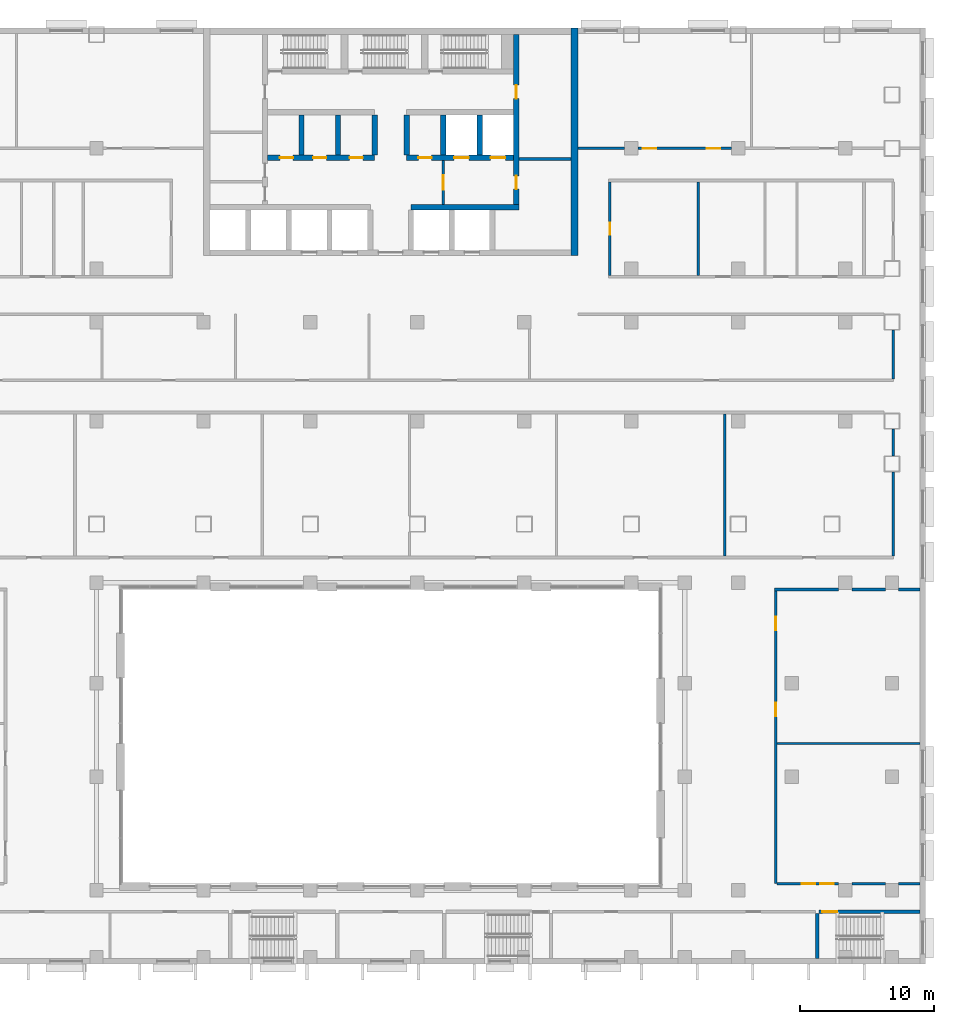
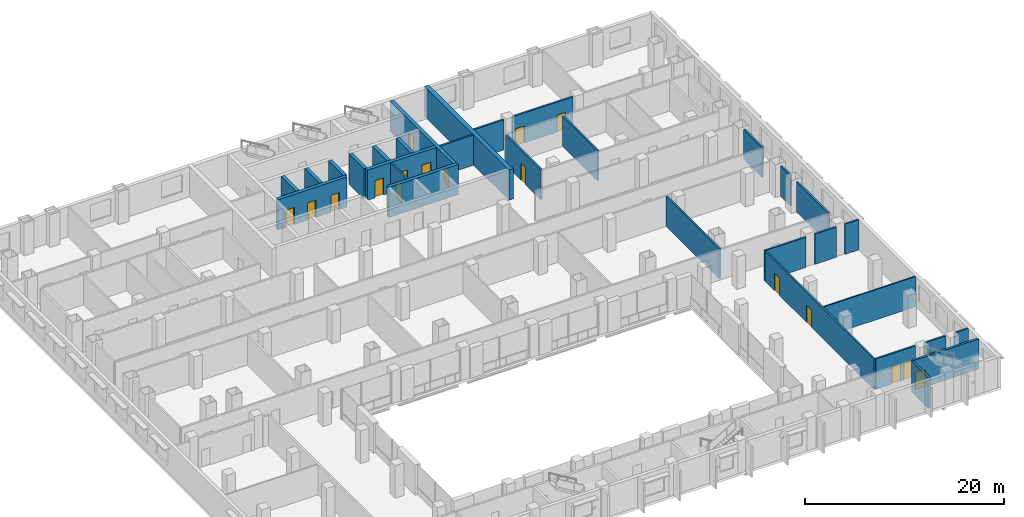
# One storey, part 13 of 25: 31 walls, 17 doors, 17 openings.
"""IFC4 building model written with IfcOpenShell, lengths in metres."""

from ifc_helpers import new_model, si_unit, direction, frame, frame_2d, origin, place, context, subcontext, project, spatial, rectangle, extrude, material, layer, layer_set, type_object, element, fill, save


model = new_model("IFC4")

# Units and contexts
model_context = context("Model", 3, precision=1e-05, world=origin(), true_north=direction((0.0, 1.0)))
body_context = subcontext(model_context, "Body", "Model", "MODEL_VIEW")
ifc_project = project(units=[si_unit("LENGTHUNIT", "METRE"), si_unit("AREAUNIT", "SQUARE_METRE"), si_unit("VOLUMEUNIT", "CUBIC_METRE"), si_unit("PLANEANGLEUNIT", "RADIAN"), si_unit("MASSUNIT", "GRAM", prefix="KILO")], contexts=[model_context])

# Site, building, storey
site_placement = place(None, origin())
site = spatial("IfcSite", under=ifc_project, at=site_placement, CompositionType="ELEMENT")
building_placement = place(site_placement, origin())
building = spatial("IfcBuilding", under=site, at=building_placement, Name="Vidyagriha Tower", CompositionType="ELEMENT")
storey_placement = place(building_placement, frame((0.0, 0.0, 18.0)))
storey = spatial("IfcBuildingStorey", under=building, at=storey_placement, Name="L04", CompositionType="ELEMENT", Elevation=18.0)

# Wall, opening, door
ifc_material_1 = material(Name="Concrete C32/40", Category="concrete")
ifc_layer_1 = layer(ifc_material_1, 0.25)
ifc_layer_set_1 = layer_set([ifc_layer_1], Name="Concrete C32/40")
wall_type_1 = type_object("IfcWallType", Name="Concrete Stair Enclosure Wall 250", PredefinedType="SOLIDWALL", material=ifc_layer_set_1)
wall_1_placement = place(storey_placement, frame((32.02490234375, -46.10009765625, 0.0)))
wall_1 = element("IfcWall", 1, at=wall_1_placement, inside=storey, type_object=wall_type_1, Name="L04 Concrete Stair Enclosure Wall 250 006", PredefinedType="SOLIDWALL", context=body_context, shape_type="SweptSolid", body=[
    extrude(rectangle(XDim=7.5751953125, YDim=0.25, at=frame_2d((3.78759765625, 0.0))), origin(), (0.0, 0.0, 1.0), 3.699951171875),
])
opening_1_placement = place(wall_1_placement, frame((0.27001953125, 0.0, 0.0)))
opening_1 = element("IfcOpeningElement", 2, at=opening_1_placement, cuts=wall_1, Name="Opening D04-60", PredefinedType="OPENING", context=body_context, shape_type="SweptSolid", body=[
    extrude(rectangle(XDim=1.10009765625, YDim=2.10009765625, at=frame_2d((0.550048828125, 1.050048828125))), frame((0.0, 0.135009765625, 0.0), z_axis=(0.0, -1.0, 0.0), x_axis=(1.0, 0.0, 0.0)), (0.0, 0.0, 1.0), 0.27001953125),
])
ifc_material_2 = material(Name="Steel fire door set", Category="steel")
door_type_1 = type_object("IfcDoorType", Name="Podium Door 1100x2100 EI 90", OperationType="NOTDEFINED", PredefinedType="DOOR", material=ifc_material_2)
door_1_placement = place(opening_1_placement, origin())
door_1 = element("IfcDoor", 3, at=door_1_placement, inside=storey, type_object=door_type_1, Name="L04 door D04-60", OperationType="SINGLE_SWING_LEFT", OverallHeight=2.10009765625, OverallWidth=1.10009765625, PredefinedType="DOOR", context=body_context, shape_type="SweptSolid", body=[
    extrude(rectangle(XDim=1.10009765625, YDim=2.10009765625, at=frame_2d((0.550048828125, 1.050048828125))), frame((0.0, 0.02490234375, 0.0), z_axis=(0.0, -1.0, 0.0), x_axis=(1.0, 0.0, 0.0)), (0.0, 0.0, 1.0), 0.050048828125),
])
fill(opening_1, door_1)

# Wall
wall_2_placement = place(storey_placement, frame((31.89990234375, -49.60009765625, 0.0), z_axis=(0.0, 0.0, 1.0), x_axis=(0.0, 1.0, 0.0)))
element("IfcWall", 4, at=wall_2_placement, inside=storey, type_object=wall_type_1, Name="L04 Concrete Stair Enclosure Wall 250 073", PredefinedType="SOLIDWALL", context=body_context, shape_type="SweptSolid", body=[
    extrude(rectangle(XDim=3.375, YDim=0.25, at=frame_2d((1.6875, 0.0))), origin(), (0.0, 0.0, 1.0), 3.699951171875),
])

# Wall, openings, doors
ifc_material_3 = material(Name="Concrete C60/75", Category="concrete")
ifc_layer_2 = layer(ifc_material_3, 0.39990234375)
ifc_layer_set_2 = layer_set([ifc_layer_2], Name="Concrete C60/75")
wall_type_2 = type_object("IfcWallType", Name="Core shear wall 400 mm", PredefinedType="SHEAR", material=ifc_layer_set_2)
wall_3_placement = place(storey_placement, frame((9.39990234375, 6.800048828125, 0.0), z_axis=(0.0, 0.0, 1.0), x_axis=(0.0, 1.0, 0.0)))
wall_3 = element("IfcWall", 5, at=wall_3_placement, inside=storey, type_object=wall_type_2, Name="Core east spine wall", PredefinedType="SHEAR", context=body_context, shape_type="SweptSolid", body=[
    extrude(rectangle(XDim=12.699951171875, YDim=0.39990234375, at=frame_2d((6.35009765625, 0.0))), origin(), (0.0, 0.0, 1.0), 3.699951171875),
])
opening_2_placement = place(wall_3_placement, frame((1.14990234375, 0.0, 0.0)))
opening_2 = element("IfcOpeningElement", 6, at=opening_2_placement, cuts=wall_3, Name="Opening D04-13", PredefinedType="OPENING", context=body_context, shape_type="SweptSolid", body=[
    extrude(rectangle(XDim=1.0, YDim=2.10009765625, at=frame_2d((0.5, 1.050048828125))), frame((0.0, 0.2099609375, 0.0), z_axis=(0.0, -1.0, 0.0), x_axis=(1.0, 0.0, 0.0)), (0.0, 0.0, 1.0), 0.419921875),
])
opening_3_placement = place(wall_3_placement, frame((7.925048828125, 0.0, 0.0)))
opening_3 = element("IfcOpeningElement", 7, at=opening_3_placement, cuts=wall_3, Name="Opening D04-14", PredefinedType="OPENING", context=body_context, shape_type="SweptSolid", body=[
    extrude(rectangle(XDim=1.0, YDim=2.10009765625, at=frame_2d((0.5, 1.050048828125))), frame((0.0, 0.2099609375, 0.0), z_axis=(0.0, -1.0, 0.0), x_axis=(1.0, 0.0, 0.0)), (0.0, 0.0, 1.0), 0.419921875),
])
ifc_material_4 = material(Name="Hollow metal door leaf")
door_type_2 = type_object("IfcDoorType", Name="Core room door 1000 x 2100 mm EI 60", OperationType="NOTDEFINED", PredefinedType="DOOR", material=ifc_material_4)
door_2_placement = place(opening_2_placement, origin())
door_2 = element("IfcDoor", 8, at=door_2_placement, inside=storey, type_object=door_type_2, Name="Door Storage Room 04.E1", OperationType="SINGLE_SWING_RIGHT", OverallHeight=2.10009765625, OverallWidth=1.0, PredefinedType="DOOR", context=body_context, shape_type="SweptSolid", body=[
    extrude(rectangle(XDim=1.0, YDim=2.10009765625, at=frame_2d((0.5, 1.050048828125))), frame((0.0, 0.02490234375, 0.0), z_axis=(0.0, -1.0, 0.0), x_axis=(1.0, 0.0, 0.0)), (0.0, 0.0, 1.0), 0.050048828125),
])
fill(opening_2, door_2)
door_3_placement = place(opening_3_placement, origin())
door_3 = element("IfcDoor", 9, at=door_3_placement, inside=storey, type_object=door_type_2, Name="Door Cleaners Store 04.E2", OperationType="SINGLE_SWING_LEFT", OverallHeight=2.10009765625, OverallWidth=1.0, PredefinedType="DOOR", context=body_context, shape_type="SweptSolid", body=[
    extrude(rectangle(XDim=1.0, YDim=2.10009765625, at=frame_2d((0.5, 1.050048828125))), frame((0.0, 0.02490234375, 0.0), z_axis=(0.0, -1.0, 0.0), x_axis=(1.0, 0.0, 0.0)), (0.0, 0.0, 1.0), 0.050048828125),
])
fill(opening_3, door_3)

# Wall
wall_4_placement = place(storey_placement, frame((1.522216796875, 6.60009765625, 0.0)))
element("IfcWall", 10, at=wall_4_placement, inside=storey, type_object=wall_type_2, Name="Core lobby south wall east", PredefinedType="SHEAR", context=body_context, shape_type="SweptSolid", body=[
    extrude(rectangle(XDim=8.077880859375, YDim=0.39990234375, at=frame_2d((4.0390625, 0.0))), origin(), (0.0, 0.0, 1.0), 3.699951171875),
])

# Wall, openings, doors
wall_5_placement = place(storey_placement, frame((-9.199951171875, 10.300048828125, 0.0)))
wall_5 = element("IfcWall", 11, at=wall_5_placement, inside=storey, type_object=wall_type_2, Name="Core row N front wall", PredefinedType="SHEAR", context=body_context, shape_type="SweptSolid", body=[
    extrude(rectangle(XDim=8.0, YDim=0.39990234375, at=frame_2d((4.0, 0.0))), origin(), (0.0, 0.0, 1.0), 3.699951171875),
])
opening_4_placement = place(wall_5_placement, frame((0.916748046875, 0.0, 0.0)))
opening_4 = element("IfcOpeningElement", 12, at=opening_4_placement, cuts=wall_5, Name="Opening D04-02", PredefinedType="OPENING", context=body_context, shape_type="SweptSolid", body=[
    extrude(rectangle(XDim=1.0, YDim=2.10009765625, at=frame_2d((0.5, 1.050048828125))), frame((0.0, 0.2099609375, 0.0), z_axis=(0.0, -1.0, 0.0), x_axis=(1.0, 0.0, 0.0)), (0.0, 0.0, 1.0), 0.419921875),
])
opening_5_placement = place(wall_5_placement, frame((3.39990234375, 0.0, 0.0)))
opening_5 = element("IfcOpeningElement", 13, at=opening_5_placement, cuts=wall_5, Name="Opening D04-03", PredefinedType="OPENING", context=body_context, shape_type="SweptSolid", body=[
    extrude(rectangle(XDim=1.0, YDim=2.10009765625, at=frame_2d((0.5, 1.050048828125))), frame((0.0, 0.2099609375, 0.0), z_axis=(0.0, -1.0, 0.0), x_axis=(1.0, 0.0, 0.0)), (0.0, 0.0, 1.0), 0.419921875),
])
opening_6_placement = place(wall_5_placement, frame((6.13330078125, 0.0, 0.0)))
opening_6 = element("IfcOpeningElement", 14, at=opening_6_placement, cuts=wall_5, Name="Opening D04-04", PredefinedType="OPENING", context=body_context, shape_type="SweptSolid", body=[
    extrude(rectangle(XDim=1.0, YDim=2.10009765625, at=frame_2d((0.5, 1.050048828125))), frame((0.0, 0.2099609375, 0.0), z_axis=(0.0, -1.0, 0.0), x_axis=(1.0, 0.0, 0.0)), (0.0, 0.0, 1.0), 0.419921875),
])
door_4_placement = place(opening_4_placement, frame((1.0, 0.0, 0.0), z_axis=(0.0, 0.0, 1.0), x_axis=(-1.0, 0.0, 0.0)))
door_4 = element("IfcDoor", 15, at=door_4_placement, inside=storey, type_object=door_type_2, Name="Door Refuse Room 04.14", OperationType="SINGLE_SWING_RIGHT", OverallHeight=2.10009765625, OverallWidth=1.0, PredefinedType="DOOR", context=body_context, shape_type="SweptSolid", body=[
    extrude(rectangle(XDim=1.0, YDim=2.10009765625, at=frame_2d((0.5, 1.050048828125))), frame((0.0, 0.02490234375, 0.0), z_axis=(0.0, -1.0, 0.0), x_axis=(1.0, 0.0, 0.0)), (0.0, 0.0, 1.0), 0.050048828125),
])
fill(opening_4, door_4)
door_5_placement = place(opening_5_placement, frame((1.0, 0.0, 0.0), z_axis=(0.0, 0.0, 1.0), x_axis=(-1.0, 0.0, 0.0)))
door_5 = element("IfcDoor", 16, at=door_5_placement, inside=storey, type_object=door_type_2, Name="Door Pressurisation Plant Room 04.15", OperationType="SINGLE_SWING_RIGHT", OverallHeight=2.10009765625, OverallWidth=1.0, PredefinedType="DOOR", context=body_context, shape_type="SweptSolid", body=[
    extrude(rectangle(XDim=1.0, YDim=2.10009765625, at=frame_2d((0.5, 1.050048828125))), frame((0.0, 0.02490234375, 0.0), z_axis=(0.0, -1.0, 0.0), x_axis=(1.0, 0.0, 0.0)), (0.0, 0.0, 1.0), 0.050048828125),
])
fill(opening_5, door_5)
door_6_placement = place(opening_6_placement, frame((1.0, 0.0, 0.0), z_axis=(0.0, 0.0, 1.0), x_axis=(-1.0, 0.0, 0.0)))
door_6 = element("IfcDoor", 17, at=door_6_placement, inside=storey, type_object=door_type_2, Name="Door Switchgear Room 04.16", OperationType="SINGLE_SWING_LEFT", OverallHeight=2.10009765625, OverallWidth=1.0, PredefinedType="DOOR", context=body_context, shape_type="SweptSolid", body=[
    extrude(rectangle(XDim=1.0, YDim=2.10009765625, at=frame_2d((0.5, 1.050048828125))), frame((0.0, 0.02490234375, 0.0), z_axis=(0.0, -1.0, 0.0), x_axis=(1.0, 0.0, 0.0)), (0.0, 0.0, 1.0), 0.050048828125),
])
fill(opening_6, door_6)

wall_6_placement = place(storey_placement, frame((1.199951171875, 10.300048828125, 0.0)))
wall_6 = element("IfcWall", 18, at=wall_6_placement, inside=storey, type_object=wall_type_2, Name="Core row N front wall", PredefinedType="SHEAR", context=body_context, shape_type="SweptSolid", body=[
    extrude(rectangle(XDim=8.0, YDim=0.39990234375, at=frame_2d((4.0, 0.0))), origin(), (0.0, 0.0, 1.0), 3.699951171875),
])
opening_7_placement = place(wall_6_placement, frame((3.550048828125, 0.0, 0.0)))
opening_7 = element("IfcOpeningElement", 19, at=opening_7_placement, cuts=wall_6, Name="Opening LD04-05", PredefinedType="OPENING", context=body_context, shape_type="SweptSolid", body=[
    extrude(rectangle(XDim=1.10009765625, YDim=2.10009765625, at=frame_2d((0.550048828125, 1.050048828125))), frame((0.0, 0.2099609375, 0.0), z_axis=(0.0, -1.0, 0.0), x_axis=(1.0, 0.0, 0.0)), (0.0, 0.0, 1.0), 0.419921875),
])
opening_8_placement = place(wall_6_placement, frame((6.283203125, 0.0, 0.0)))
opening_8 = element("IfcOpeningElement", 20, at=opening_8_placement, cuts=wall_6, Name="Opening LD04-06", PredefinedType="OPENING", context=body_context, shape_type="SweptSolid", body=[
    extrude(rectangle(XDim=1.10009765625, YDim=2.10009765625, at=frame_2d((0.550048828125, 1.050048828125))), frame((0.0, 0.2099609375, 0.0), z_axis=(0.0, -1.0, 0.0), x_axis=(1.0, 0.0, 0.0)), (0.0, 0.0, 1.0), 0.419921875),
])
opening_9_placement = place(wall_6_placement, frame((0.86669921875, 0.0, 0.0)))
opening_9 = element("IfcOpeningElement", 21, at=opening_9_placement, cuts=wall_6, Name="Opening D04-05", PredefinedType="OPENING", context=body_context, shape_type="SweptSolid", body=[
    extrude(rectangle(XDim=1.0, YDim=2.10009765625, at=frame_2d((0.5, 1.050048828125))), frame((0.0, 0.2099609375, 0.0), z_axis=(0.0, -1.0, 0.0), x_axis=(1.0, 0.0, 0.0)), (0.0, 0.0, 1.0), 0.419921875),
])
door_7_placement = place(opening_9_placement, frame((1.0, 0.0, 0.0), z_axis=(0.0, 0.0, 1.0), x_axis=(-1.0, 0.0, 0.0)))
door_7 = element("IfcDoor", 22, at=door_7_placement, inside=storey, type_object=door_type_2, Name="Door Electrical Room 04.17", OperationType="SINGLE_SWING_LEFT", OverallHeight=2.10009765625, OverallWidth=1.0, PredefinedType="DOOR", context=body_context, shape_type="SweptSolid", body=[
    extrude(rectangle(XDim=1.0, YDim=2.10009765625, at=frame_2d((0.5, 1.050048828125))), frame((0.0, 0.02490234375, 0.0), z_axis=(0.0, -1.0, 0.0), x_axis=(1.0, 0.0, 0.0)), (0.0, 0.0, 1.0), 0.050048828125),
])
fill(opening_9, door_7)
ifc_material_5 = material(Name="Stainless steel sliding door panel", Category="steel")
door_type_3 = type_object("IfcDoorType", Name="Lift landing door 1100 x 2100 mm EI 90", OperationType="NOTDEFINED", PredefinedType="DOOR", material=ifc_material_5)
door_8_placement = place(opening_7_placement, origin())
door_8 = element("IfcDoor", 23, at=door_8_placement, inside=storey, type_object=door_type_3, Name="Landing door FF1 L04", OperationType="SLIDING_TO_LEFT", OverallHeight=2.10009765625, OverallWidth=1.10009765625, PredefinedType="DOOR", context=body_context, shape_type="SweptSolid", body=[
    extrude(rectangle(XDim=1.10009765625, YDim=2.10009765625, at=frame_2d((0.550048828125, 1.050048828125))), frame((0.0, 0.02490234375, 0.0), z_axis=(0.0, -1.0, 0.0), x_axis=(1.0, 0.0, 0.0)), (0.0, 0.0, 1.0), 0.050048828125),
])
fill(opening_7, door_8)
door_9_placement = place(opening_8_placement, origin())
door_9 = element("IfcDoor", 24, at=door_9_placement, inside=storey, type_object=door_type_3, Name="Landing door FF2 L04", OperationType="SLIDING_TO_LEFT", OverallHeight=2.10009765625, OverallWidth=1.10009765625, PredefinedType="DOOR", context=body_context, shape_type="SweptSolid", body=[
    extrude(rectangle(XDim=1.10009765625, YDim=2.10009765625, at=frame_2d((0.550048828125, 1.050048828125))), frame((0.0, 0.02490234375, 0.0), z_axis=(0.0, -1.0, 0.0), x_axis=(1.0, 0.0, 0.0)), (0.0, 0.0, 1.0), 0.050048828125),
])
fill(opening_8, door_9)

# Walls
for number, where, z_axis, x_axis, name in (
    (25, (-6.666748046875, 10.5, 0.0), (0.0, 0.0, 1.0), (0.0, 1.0, 0.0), "Core bay wall N1"),
    (26, (-3.933349609375, 10.5, 0.0), (0.0, 0.0, 1.0), (0.0, 1.0, 0.0), "Core bay wall N2"),
    (27, (-1.199951171875, 10.5, 0.0), (0.0, 0.0, 1.0), (0.0, 1.0, 0.0), "Core bay wall N3"),
    (28, (1.199951171875, 10.5, 0.0), (0.0, 0.0, 1.0), (0.0, 1.0, 0.0), "Core bay wall N4"),
    (29, (3.933349609375, 10.5, 0.0), (0.0, 0.0, 1.0), (0.0, 1.0, 0.0), "Core bay wall N5"),
    (30, (6.666748046875, 10.5, 0.0), (0.0, 0.0, 1.0), (0.0, 1.0, 0.0), "Core bay wall N6"),
):
    element("IfcWall", number, at=place(storey_placement, frame(where, z_axis=z_axis, x_axis=x_axis)), inside=storey, type_object=wall_type_2, Name=name, PredefinedType="SHEAR", context=body_context, shape_type="SweptSolid", body=[
        extrude(rectangle(XDim=3.0, YDim=0.39990234375, at=frame_2d((1.5, 0.0))), origin(), (0.0, 0.0, 1.0), 3.699951171875),
    ])
ifc_material_6 = material(Name="Concrete C60/75", Category="concrete")
ifc_layer_3 = layer(ifc_material_6, 0.5)
ifc_layer_set_3 = layer_set([ifc_layer_3], Name="Concrete C60/75")
wall_type_3 = type_object("IfcWallType", Name="Core shear wall 500 mm", PredefinedType="SHEAR", material=ifc_layer_set_3)
wall_7_placement = place(storey_placement, frame((13.75, 3.0, 0.0), z_axis=(0.0, 0.0, 1.0), x_axis=(0.0, 1.0, 0.0)))
element("IfcWall", 31, at=wall_7_placement, inside=storey, type_object=wall_type_3, Name="Core east wall", PredefinedType="SHEAR", context=body_context, shape_type="SweptSolid", body=[
    extrude(rectangle(XDim=17.0, YDim=0.5, at=frame_2d((8.5, 0.0))), origin(), (0.0, 0.0, 1.0), 3.699951171875),
])

# Wall, openings, doors
ifc_material_7 = material(Name="Fire rated gypsum board on light gauge framing")
ifc_layer_4 = layer(ifc_material_7, 0.199951171875)
ifc_layer_set_4 = layer_set([ifc_layer_4], Name="Fire rated gypsum board on light gauge framing")
wall_type_4 = type_object("IfcWallType", Name="Fire Rated Corridor Wall 200", PredefinedType="PARTITIONING", material=ifc_layer_set_4)
wall_8_placement = place(storey_placement, frame((28.900146484375, -44.0, 0.0)))
wall_8 = element("IfcWall", 32, at=wall_8_placement, inside=storey, type_object=wall_type_4, Name="L04 Fire Rated Corridor Wall 200 010", PredefinedType="PARTITIONING", context=body_context, shape_type="SweptSolid", body=[
    extrude(rectangle(XDim=4.599853515625, YDim=0.199951171875, at=frame_2d((2.2998046875, 0.0))), origin(), (0.0, 0.0, 1.0), 3.699951171875),
])
opening_10_placement = place(wall_8_placement, frame((1.864013671875, 0.0, 0.0)))
opening_10 = element("IfcOpeningElement", 33, at=opening_10_placement, cuts=wall_8, Name="Opening D04-19", PredefinedType="OPENING", context=body_context, shape_type="SweptSolid", body=[
    extrude(rectangle(XDim=1.0, YDim=2.10009765625, at=frame_2d((0.5, 1.050048828125))), frame((0.0, 0.10986328125, 0.0), z_axis=(0.0, -1.0, 0.0), x_axis=(1.0, 0.0, 0.0)), (0.0, 0.0, 1.0), 0.219970703125),
])
opening_11_placement = place(wall_8_placement, frame((3.25, 0.0, 0.0)))
opening_11 = element("IfcOpeningElement", 34, at=opening_11_placement, cuts=wall_8, Name="Opening D04-20", PredefinedType="OPENING", context=body_context, shape_type="SweptSolid", body=[
    extrude(rectangle(XDim=1.0, YDim=2.10009765625, at=frame_2d((0.5, 1.050048828125))), frame((0.0, 0.10986328125, 0.0), z_axis=(0.0, -1.0, 0.0), x_axis=(1.0, 0.0, 0.0)), (0.0, 0.0, 1.0), 0.219970703125),
])
ifc_material_8 = material(Name="Steel fire door set", Category="steel")
door_type_4 = type_object("IfcDoorType", Name="Podium Door 1000x2100 EI 30", OperationType="NOTDEFINED", PredefinedType="DOOR", material=ifc_material_8)
door_10_placement = place(opening_10_placement, origin())
door_10 = element("IfcDoor", 35, at=door_10_placement, inside=storey, type_object=door_type_4, Name="L04 door D04-19", OperationType="SINGLE_SWING_RIGHT", OverallHeight=2.10009765625, OverallWidth=1.0, PredefinedType="DOOR", context=body_context, shape_type="SweptSolid", body=[
    extrude(rectangle(XDim=1.0, YDim=2.10009765625, at=frame_2d((0.5, 1.050048828125))), frame((0.0, 0.02490234375, 0.0), z_axis=(0.0, -1.0, 0.0), x_axis=(1.0, 0.0, 0.0)), (0.0, 0.0, 1.0), 0.050048828125),
])
fill(opening_10, door_10)
door_11_placement = place(opening_11_placement, origin())
door_11 = element("IfcDoor", 36, at=door_11_placement, inside=storey, type_object=door_type_4, Name="L04 door D04-20", OperationType="SINGLE_SWING_RIGHT", OverallHeight=2.10009765625, OverallWidth=1.0, PredefinedType="DOOR", context=body_context, shape_type="SweptSolid", body=[
    extrude(rectangle(XDim=1.0, YDim=2.10009765625, at=frame_2d((0.5, 1.050048828125))), frame((0.0, 0.02490234375, 0.0), z_axis=(0.0, -1.0, 0.0), x_axis=(1.0, 0.0, 0.0)), (0.0, 0.0, 1.0), 0.050048828125),
])
fill(opening_11, door_11)

# Walls
wall_9_placement = place(storey_placement, frame((34.5, -44.0, 0.0)))
element("IfcWall", 37, at=wall_9_placement, inside=storey, type_object=wall_type_4, Name="L04 Fire Rated Corridor Wall 200 011", PredefinedType="PARTITIONING", context=body_context, shape_type="SweptSolid", body=[
    extrude(rectangle(XDim=2.5, YDim=0.199951171875, at=frame_2d((1.25, 0.0))), origin(), (0.0, 0.0, 1.0), 3.699951171875),
])
wall_10_placement = place(storey_placement, frame((38.0, -44.0, 0.0)))
element("IfcWall", 38, at=wall_10_placement, inside=storey, type_object=wall_type_4, Name="L04 Fire Rated Corridor Wall 200 012", PredefinedType="PARTITIONING", context=body_context, shape_type="SweptSolid", body=[
    extrude(rectangle(XDim=1.60009765625, YDim=0.199951171875, at=frame_2d((0.800048828125, 0.0))), origin(), (0.0, 0.0, 1.0), 3.699951171875),
])
wall_11_placement = place(storey_placement, frame((28.7001953125, -22.0, 0.0)))
element("IfcWall", 39, at=wall_11_placement, inside=storey, type_object=wall_type_4, Name="L04 Fire Rated Corridor Wall 200 018", PredefinedType="PARTITIONING", context=body_context, shape_type="SweptSolid", body=[
    extrude(rectangle(XDim=4.7998046875, YDim=0.199951171875, at=frame_2d((2.39990234375, 0.0))), origin(), (0.0, 0.0, 1.0), 3.699951171875),
])
wall_12_placement = place(storey_placement, frame((34.5, -22.0, 0.0)))
element("IfcWall", 40, at=wall_12_placement, inside=storey, type_object=wall_type_4, Name="L04 Fire Rated Corridor Wall 200 019", PredefinedType="PARTITIONING", context=body_context, shape_type="SweptSolid", body=[
    extrude(rectangle(XDim=2.5, YDim=0.199951171875, at=frame_2d((1.25, 0.0))), origin(), (0.0, 0.0, 1.0), 3.699951171875),
])
wall_13_placement = place(storey_placement, frame((38.0, -22.0, 0.0)))
element("IfcWall", 41, at=wall_13_placement, inside=storey, type_object=wall_type_4, Name="L04 Fire Rated Corridor Wall 200 020", PredefinedType="PARTITIONING", context=body_context, shape_type="SweptSolid", body=[
    extrude(rectangle(XDim=1.60009765625, YDim=0.199951171875, at=frame_2d((0.800048828125, 0.0))), origin(), (0.0, 0.0, 1.0), 3.699951171875),
])
wall_14_placement = place(storey_placement, frame((14.0, 11.0, 0.0)))
element("IfcWall", 42, at=wall_14_placement, inside=storey, type_object=wall_type_4, Name="L04 Fire Rated Corridor Wall 200 034", PredefinedType="PARTITIONING", context=body_context, shape_type="SweptSolid", body=[
    extrude(rectangle(XDim=3.5, YDim=0.199951171875, at=frame_2d((1.75, 0.0))), origin(), (0.0, 0.0, 1.0), 3.699951171875),
])

# Wall, openings, doors
wall_15_placement = place(storey_placement, frame((18.5, 11.0, 0.0)))
wall_15 = element("IfcWall", 43, at=wall_15_placement, inside=storey, type_object=wall_type_4, Name="L04 Fire Rated Corridor Wall 200 035", PredefinedType="PARTITIONING", context=body_context, shape_type="SweptSolid", body=[
    extrude(rectangle(XDim=7.0, YDim=0.199951171875, at=frame_2d((3.5, 0.0))), origin(), (0.0, 0.0, 1.0), 3.699951171875),
])
opening_12_placement = place(wall_15_placement, frame((0.35009765625, 0.0, 0.0)))
opening_12 = element("IfcOpeningElement", 44, at=opening_12_placement, cuts=wall_15, Name="Opening D04-55", PredefinedType="OPENING", context=body_context, shape_type="SweptSolid", body=[
    extrude(rectangle(XDim=1.0, YDim=2.10009765625, at=frame_2d((0.5, 1.050048828125))), frame((0.0, 0.10986328125, 0.0), z_axis=(0.0, -1.0, 0.0), x_axis=(1.0, 0.0, 0.0)), (0.0, 0.0, 1.0), 0.219970703125),
])
opening_13_placement = place(wall_15_placement, frame((5.139892578125, 0.0, 0.0)))
opening_13 = element("IfcOpeningElement", 45, at=opening_13_placement, cuts=wall_15, Name="Opening D04-56", PredefinedType="OPENING", context=body_context, shape_type="SweptSolid", body=[
    extrude(rectangle(XDim=1.0, YDim=2.10009765625, at=frame_2d((0.5, 1.050048828125))), frame((0.0, 0.10986328125, 0.0), z_axis=(0.0, -1.0, 0.0), x_axis=(1.0, 0.0, 0.0)), (0.0, 0.0, 1.0), 0.219970703125),
])
door_12_placement = place(opening_12_placement, origin())
door_12 = element("IfcDoor", 46, at=door_12_placement, inside=storey, type_object=door_type_4, Name="L04 door D04-55", OperationType="SINGLE_SWING_LEFT", OverallHeight=2.10009765625, OverallWidth=1.0, PredefinedType="DOOR", context=body_context, shape_type="SweptSolid", body=[
    extrude(rectangle(XDim=1.0, YDim=2.10009765625, at=frame_2d((0.5, 1.050048828125))), frame((0.0, 0.02490234375, 0.0), z_axis=(0.0, -1.0, 0.0), x_axis=(1.0, 0.0, 0.0)), (0.0, 0.0, 1.0), 0.050048828125),
])
fill(opening_12, door_12)
door_13_placement = place(opening_13_placement, origin())
door_13 = element("IfcDoor", 47, at=door_13_placement, inside=storey, type_object=door_type_4, Name="L04 door D04-56", OperationType="SINGLE_SWING_RIGHT", OverallHeight=2.10009765625, OverallWidth=1.0, PredefinedType="DOOR", context=body_context, shape_type="SweptSolid", body=[
    extrude(rectangle(XDim=1.0, YDim=2.10009765625, at=frame_2d((0.5, 1.050048828125))), frame((0.0, 0.02490234375, 0.0), z_axis=(0.0, -1.0, 0.0), x_axis=(1.0, 0.0, 0.0)), (0.0, 0.0, 1.0), 0.050048828125),
])
fill(opening_13, door_13)

# Wall, opening, door
wall_16_placement = place(storey_placement, frame((16.39990234375, 1.5, 0.0), z_axis=(0.0, 0.0, 1.0), x_axis=(0.0, 1.0, 0.0)))
wall_16 = element("IfcWall", 48, at=wall_16_placement, inside=storey, type_object=wall_type_4, Name="L04 Fire Rated Corridor Wall 200 065", PredefinedType="PARTITIONING", context=body_context, shape_type="SweptSolid", body=[
    extrude(rectangle(XDim=7.0, YDim=0.199951171875, at=frame_2d((3.5, 0.0))), origin(), (0.0, 0.0, 1.0), 3.699951171875),
])
opening_14_placement = place(wall_16_placement, frame((3.0498046875, 0.0, 0.0)))
opening_14 = element("IfcOpeningElement", 49, at=opening_14_placement, cuts=wall_16, Name="Opening D04-46", PredefinedType="OPENING", context=body_context, shape_type="SweptSolid", body=[
    extrude(rectangle(XDim=0.89990234375, YDim=2.10009765625, at=frame_2d((0.449951171875, 1.050048828125))), frame((0.0, 0.10986328125, 0.0), z_axis=(0.0, -1.0, 0.0), x_axis=(1.0, 0.0, 0.0)), (0.0, 0.0, 1.0), 0.219970703125),
])
ifc_material_9 = material(Name="Steel fire door set", Category="steel")
door_type_5 = type_object("IfcDoorType", Name="Podium Door 900x2100 EI 30", OperationType="NOTDEFINED", PredefinedType="DOOR", material=ifc_material_9)
door_14_placement = place(opening_14_placement, frame((0.89990234375, 0.0, 0.0), z_axis=(0.0, 0.0, 1.0), x_axis=(-1.0, 0.0, 0.0)))
door_14 = element("IfcDoor", 50, at=door_14_placement, inside=storey, type_object=door_type_5, Name="L04 door D04-46", OperationType="SINGLE_SWING_LEFT", OverallHeight=2.10009765625, OverallWidth=0.89990234375, PredefinedType="DOOR", context=body_context, shape_type="SweptSolid", body=[
    extrude(rectangle(XDim=0.89990234375, YDim=2.10009765625, at=frame_2d((0.449951171875, 1.050048828125))), frame((0.0, 0.02490234375, 0.0), z_axis=(0.0, -1.0, 0.0), x_axis=(1.0, 0.0, 0.0)), (0.0, 0.0, 1.0), 0.050048828125),
])
fill(opening_14, door_14)

# Walls
wall_17_placement = place(storey_placement, frame((23.0, 1.5, 0.0), z_axis=(0.0, 0.0, 1.0), x_axis=(0.0, 1.0, 0.0)))
element("IfcWall", 51, at=wall_17_placement, inside=storey, type_object=wall_type_4, Name="L04 Fire Rated Corridor Wall 200 067", PredefinedType="PARTITIONING", context=body_context, shape_type="SweptSolid", body=[
    extrude(rectangle(XDim=7.0, YDim=0.199951171875, at=frame_2d((3.5, 0.0))), origin(), (0.0, 0.0, 1.0), 3.699951171875),
])
wall_18_placement = place(storey_placement, frame((25.0, -19.5, 0.0), z_axis=(0.0, 0.0, 1.0), x_axis=(0.0, 1.0, 0.0)))
element("IfcWall", 52, at=wall_18_placement, inside=storey, type_object=wall_type_4, Name="L04 Fire Rated Corridor Wall 200 068", PredefinedType="PARTITIONING", context=body_context, shape_type="SweptSolid", body=[
    extrude(rectangle(XDim=10.64990234375, YDim=0.199951171875, at=frame_2d((5.324951171875, 0.0))), origin(), (0.0, 0.0, 1.0), 3.699951171875),
])

# Wall, openings, doors
wall_19_placement = place(storey_placement, frame((28.800048828125, -44.0, 0.0), z_axis=(0.0, 0.0, 1.0), x_axis=(0.0, 1.0, 0.0)))
wall_19 = element("IfcWall", 53, at=wall_19_placement, inside=storey, type_object=wall_type_4, Name="L04 Fire Rated Corridor Wall 200 071", PredefinedType="PARTITIONING", context=body_context, shape_type="SweptSolid", body=[
    extrude(rectangle(XDim=21.89990234375, YDim=0.199951171875, at=frame_2d((10.949951171875, 0.0))), origin(), (0.0, 0.0, 1.0), 3.699951171875),
])
opening_15_placement = place(wall_19_placement, frame((12.52978515625, 0.0, 0.0)))
opening_15 = element("IfcOpeningElement", 54, at=opening_15_placement, cuts=wall_19, Name="Opening D04-21", PredefinedType="OPENING", context=body_context, shape_type="SweptSolid", body=[
    extrude(rectangle(XDim=1.0, YDim=2.10009765625, at=frame_2d((0.5, 1.050048828125))), frame((0.0, 0.10986328125, 0.0), z_axis=(0.0, -1.0, 0.0), x_axis=(1.0, 0.0, 0.0)), (0.0, 0.0, 1.0), 0.219970703125),
])
opening_16_placement = place(wall_19_placement, frame((18.969970703125, 0.0, 0.0)))
opening_16 = element("IfcOpeningElement", 55, at=opening_16_placement, cuts=wall_19, Name="Opening D04-22", PredefinedType="OPENING", context=body_context, shape_type="SweptSolid", body=[
    extrude(rectangle(XDim=1.0, YDim=2.10009765625, at=frame_2d((0.5, 1.050048828125))), frame((0.0, 0.10986328125, 0.0), z_axis=(0.0, -1.0, 0.0), x_axis=(1.0, 0.0, 0.0)), (0.0, 0.0, 1.0), 0.219970703125),
])
door_15_placement = place(opening_15_placement, frame((1.0, 0.0, 0.0), z_axis=(0.0, 0.0, 1.0), x_axis=(-1.0, 0.0, 0.0)))
door_15 = element("IfcDoor", 56, at=door_15_placement, inside=storey, type_object=door_type_4, Name="L04 door D04-21", OperationType="SINGLE_SWING_RIGHT", OverallHeight=2.10009765625, OverallWidth=1.0, PredefinedType="DOOR", context=body_context, shape_type="SweptSolid", body=[
    extrude(rectangle(XDim=1.0, YDim=2.10009765625, at=frame_2d((0.5, 1.050048828125))), frame((0.0, 0.02490234375, 0.0), z_axis=(0.0, -1.0, 0.0), x_axis=(1.0, 0.0, 0.0)), (0.0, 0.0, 1.0), 0.050048828125),
])
fill(opening_15, door_15)
door_16_placement = place(opening_16_placement, frame((1.0, 0.0, 0.0), z_axis=(0.0, 0.0, 1.0), x_axis=(-1.0, 0.0, 0.0)))
door_16 = element("IfcDoor", 57, at=door_16_placement, inside=storey, type_object=door_type_4, Name="L04 door D04-22", OperationType="SINGLE_SWING_RIGHT", OverallHeight=2.10009765625, OverallWidth=1.0, PredefinedType="DOOR", context=body_context, shape_type="SweptSolid", body=[
    extrude(rectangle(XDim=1.0, YDim=2.10009765625, at=frame_2d((0.5, 1.050048828125))), frame((0.0, 0.02490234375, 0.0), z_axis=(0.0, -1.0, 0.0), x_axis=(1.0, 0.0, 0.0)), (0.0, 0.0, 1.0), 0.050048828125),
])
fill(opening_16, door_16)

# Walls
wall_20_placement = place(storey_placement, frame((37.60009765625, -19.5, 0.0), z_axis=(0.0, 0.0, 1.0), x_axis=(0.0, 1.0, 0.0)))
element("IfcWall", 58, at=wall_20_placement, inside=storey, type_object=wall_type_4, Name="L04 Fire Rated Corridor Wall 200 075", PredefinedType="PARTITIONING", context=body_context, shape_type="SweptSolid", body=[
    extrude(rectangle(XDim=6.300048828125, YDim=0.199951171875, at=frame_2d((3.14990234375, 0.0))), origin(), (0.0, 0.0, 1.0), 3.699951171875),
])
wall_21_placement = place(storey_placement, frame((37.60009765625, -12.0, 0.0), z_axis=(0.0, 0.0, 1.0), x_axis=(0.0, 1.0, 0.0)))
element("IfcWall", 59, at=wall_21_placement, inside=storey, type_object=wall_type_4, Name="L04 Fire Rated Corridor Wall 200 076", PredefinedType="PARTITIONING", context=body_context, shape_type="SweptSolid", body=[
    extrude(rectangle(XDim=2.0, YDim=0.199951171875, at=frame_2d((1.0, 0.0))), origin(), (0.0, 0.0, 1.0), 3.699951171875),
])
wall_22_placement = place(storey_placement, frame((37.60009765625, -6.25, 0.0), z_axis=(0.0, 0.0, 1.0), x_axis=(0.0, 1.0, 0.0)))
element("IfcWall", 60, at=wall_22_placement, inside=storey, type_object=wall_type_4, Name="L04 Fire Rated Corridor Wall 200 077", PredefinedType="PARTITIONING", context=body_context, shape_type="SweptSolid", body=[
    extrude(rectangle(XDim=3.64990234375, YDim=0.199951171875, at=frame_2d((1.824951171875, 0.0))), origin(), (0.0, 0.0, 1.0), 3.699951171875),
])
ifc_material_10 = material(Name="Gypsum board on light gauge framing")
ifc_layer_5 = layer(ifc_material_10, 0.14990234375)
ifc_layer_set_5 = layer_set([ifc_layer_5], Name="Gypsum board on light gauge framing")
wall_type_5 = type_object("IfcWallType", Name="Gypsum Board Partition 150", PredefinedType="PARTITIONING", material=ifc_layer_set_5)
wall_23_placement = place(storey_placement, frame((28.89990234375, -33.5, 0.0)))
element("IfcWall", 61, at=wall_23_placement, inside=storey, type_object=wall_type_5, Name="L04 Gypsum Board Partition 150 013", PredefinedType="PARTITIONING", context=body_context, shape_type="SweptSolid", body=[
    extrude(rectangle(XDim=10.7001953125, YDim=0.14990234375, at=frame_2d((5.35009765625, 0.0))), origin(), (0.0, 0.0, 1.0), 3.699951171875),
])

# Wall, opening, door
ifc_material_11 = material(Name="Blockwork 15 MPa", Category="masonry")
ifc_layer_6 = layer(ifc_material_11, 0.199951171875)
ifc_layer_set_6 = layer_set([ifc_layer_6], Name="Blockwork 15 MPa")
wall_type_6 = type_object("IfcWallType", Name="Service room partition 200 mm", PredefinedType="PARTITIONING", material=ifc_layer_set_6)
wall_24_placement = place(storey_placement, frame((3.933349609375, 6.800048828125, 0.0), z_axis=(0.0, 0.0, 1.0), x_axis=(0.0, 1.0, 0.0)))
wall_24 = element("IfcWall", 62, at=wall_24_placement, inside=storey, type_object=wall_type_6, Name="Fire-fighting lobby west wall", PredefinedType="PARTITIONING", context=body_context, shape_type="SweptSolid", body=[
    extrude(rectangle(XDim=3.300048828125, YDim=0.199951171875, at=frame_2d((1.64990234375, 0.0))), origin(), (0.0, 0.0, 1.0), 3.699951171875),
])
opening_17_placement = place(wall_24_placement, frame((1.10009765625, 0.0, 0.0)))
opening_17 = element("IfcOpeningElement", 63, at=opening_17_placement, cuts=wall_24, Name="Opening D04-06", PredefinedType="OPENING", context=body_context, shape_type="SweptSolid", body=[
    extrude(rectangle(XDim=1.10009765625, YDim=2.10009765625, at=frame_2d((0.550048828125, 1.050048828125))), frame((0.0, 0.10986328125, 0.0), z_axis=(0.0, -1.0, 0.0), x_axis=(1.0, 0.0, 0.0)), (0.0, 0.0, 1.0), 0.219970703125),
])
ifc_material_12 = material(Name="Hollow metal door leaf")
door_type_6 = type_object("IfcDoorType", Name="Fire-fighting lobby door 1100 x 2100 mm EI 90", OperationType="NOTDEFINED", PredefinedType="DOOR", material=ifc_material_12)
door_17_placement = place(opening_17_placement, origin())
door_17 = element("IfcDoor", 64, at=door_17_placement, inside=storey, type_object=door_type_6, Name="Fire-fighting lobby door L04", OperationType="SINGLE_SWING_RIGHT", OverallHeight=2.10009765625, OverallWidth=1.10009765625, PredefinedType="DOOR", context=body_context, shape_type="SweptSolid", body=[
    extrude(rectangle(XDim=1.10009765625, YDim=2.10009765625, at=frame_2d((0.550048828125, 1.050048828125))), frame((0.0, 0.02490234375, 0.0), z_axis=(0.0, -1.0, 0.0), x_axis=(1.0, 0.0, 0.0)), (0.0, 0.0, 1.0), 0.050048828125),
])
fill(opening_17, door_17)

# Wall
wall_25_placement = place(storey_placement, frame((9.60009765625, 10.199951171875, 0.0)))
element("IfcWall", 65, at=wall_25_placement, inside=storey, type_object=wall_type_6, Name="Core room partition E1", PredefinedType="PARTITIONING", context=body_context, shape_type="SweptSolid", body=[
    extrude(rectangle(XDim=3.89990234375, YDim=0.199951171875, at=frame_2d((1.949951171875, 0.0))), origin(), (0.0, 0.0, 1.0), 3.699951171875),
])

save(model, "model.ifc")
